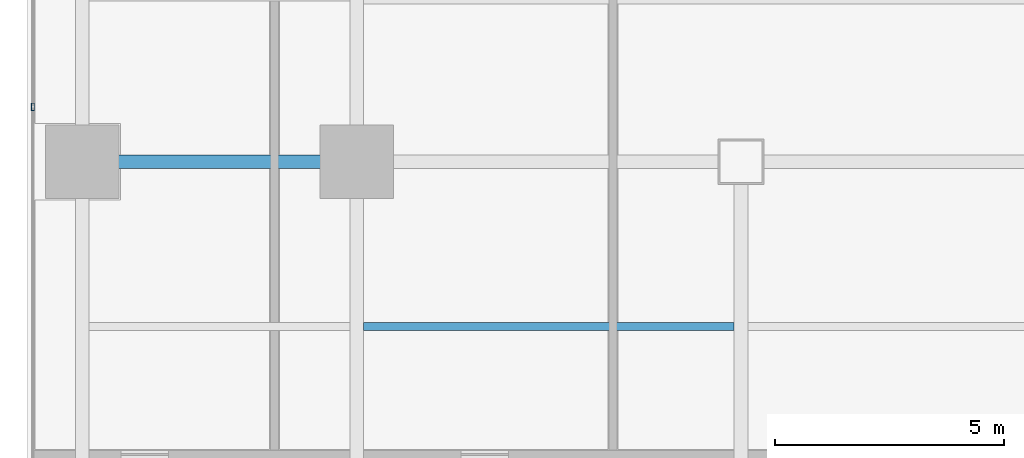
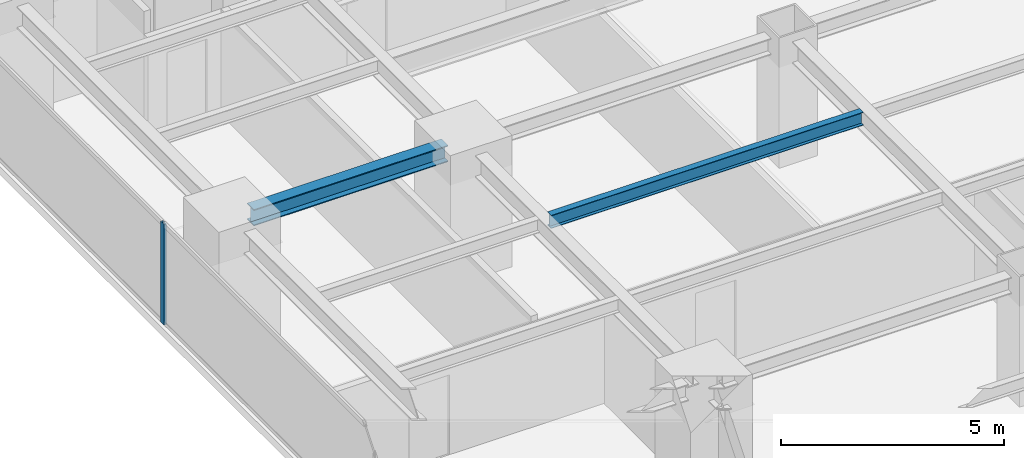
# One storey, part 7 of 28: 2 beams, 1 member, 1 element without a shape of its own.
"""IFC4 building model written with IfcOpenShell, lengths in metres."""

import ifcopenshell
import ifcopenshell.guid

model = None  # the IFC model being written
_history = None  # IfcOwnerHistory: only IFC2X3 demands one
_inside = {}  # id of a spatial element -> (the spatial element, [elements in it])
_under = {}  # id of a project, library or spatial element -> (it, [spatial elements below it])
_declared = {}  # id of a project -> (the project, [libraries it declares])
_typed = {}  # id of a type object -> (the type object, [elements of that type])
_made_of = {}  # id of a material, layer set ... -> (it, [elements and type objects made of it])


def new_model(schema):
    """Start an empty IFC model of exactly this schema.

    Asked for "IFC4X3", IfcOpenShell would pick the latest addendum, in which some entities
    have other attributes; the version numbers below select the first issue.
    IFC2X3 requires an IfcOwnerHistory on every rooted entity: one is made here for all.
    """
    global model, _history
    if schema == "IFC4X3":
        model = ifcopenshell.file(schema_version=(4, 3, 0, 0))
    else:
        model = ifcopenshell.file(schema=schema)
    _inside.clear()
    _under.clear()
    _declared.clear()
    _typed.clear()
    _made_of.clear()
    _history = None
    if model.schema == "IFC2X3":
        org = make("IfcOrganization", Name="unknown")
        user = make(
            "IfcPersonAndOrganization",
            ThePerson=make("IfcPerson", FamilyName="unknown"),
            TheOrganization=org,
        )
        app = make(
            "IfcApplication",
            ApplicationDeveloper=org,
            Version="unknown",
            ApplicationFullName="unknown",
            ApplicationIdentifier="unknown",
        )
        _history = make(
            "IfcOwnerHistory",
            OwningUser=user,
            OwningApplication=app,
            ChangeAction="ADDED",
            CreationDate=0,
        )
    return model


def make(cls, **values):
    """One entity of the class cls with the attributes given. An attribute that is None is left unset."""
    return model.create_entity(
        cls, **{name: value for name, value in values.items() if value is not None}
    )


def rooted(cls, **values):
    """An entity with a GlobalId (a new one), such as an element, a storey or a relation."""
    return make(cls, GlobalId=ifcopenshell.guid.new(), OwnerHistory=_history, **values)


def si_unit(unit_type, name, prefix=None):
    """IfcSIUnit, for example si_unit("LENGTHUNIT", "METRE", prefix="MILLI")."""
    return make("IfcSIUnit", UnitType=unit_type, Prefix=prefix, Name=name)


def assignment(units):
    """IfcUnitAssignment: the units of a project."""
    return None if units is None else make("IfcUnitAssignment", Units=units)


def point(xyz):
    """IfcCartesianPoint."""
    return None if xyz is None else make("IfcCartesianPoint", Coordinates=xyz)


def direction(xyz):
    """IfcDirection."""
    return None if xyz is None else make("IfcDirection", DirectionRatios=xyz)


def frame(location, z_axis=None, x_axis=None):
    """IfcAxis2Placement3D, a coordinate frame: its origin and axes. An axis left out is left unset."""
    return make(
        "IfcAxis2Placement3D",
        Location=point(location),
        Axis=direction(z_axis),
        RefDirection=direction(x_axis),
    )


def frame_2d(location, x_axis=None):
    """IfcAxis2Placement2D, a coordinate frame in the plane: its origin and x axis."""
    return make(
        "IfcAxis2Placement2D", Location=point(location), RefDirection=direction(x_axis)
    )


def origin():
    """The frame at (0, 0, 0) with its axes left unset."""
    return frame((0.0, 0.0, 0.0))


def origin_2d():
    """The frame at (0, 0) in the plane with its x axis left unset."""
    return frame_2d((0.0, 0.0))


def place(relative_to, where):
    """IfcLocalPlacement: puts the frame where relative to a parent placement (None: the world)."""
    return make(
        "IfcLocalPlacement", PlacementRelTo=relative_to, RelativePlacement=where
    )


def context(
    kind, dimensions, precision=None, world=None, true_north=None, identifier=None
):
    """IfcGeometricRepresentationContext, for example the 3D "Model" context."""
    return make(
        "IfcGeometricRepresentationContext",
        ContextIdentifier=identifier,
        ContextType=kind,
        CoordinateSpaceDimension=dimensions,
        Precision=precision,
        WorldCoordinateSystem=world,
        TrueNorth=true_north,
    )


def subcontext(parent, identifier, kind, view, scale=None):
    """IfcGeometricRepresentationSubContext, for example "Body" below "Model"."""
    return make(
        "IfcGeometricRepresentationSubContext",
        ContextIdentifier=identifier,
        ContextType=kind,
        ParentContext=parent,
        TargetScale=scale,
        TargetView=view,
    )


def project(units=None, contexts=None):
    """IfcProject with its units and contexts."""
    return rooted(
        "IfcProject",
        Name="project",
        RepresentationContexts=contexts,
        UnitsInContext=assignment(units),
    )


def spatial(cls, under=None, at=None, **own):
    """A site, building, storey or space (cls), placed at a placement, below another one or the project."""
    s = rooted(cls, ObjectPlacement=at, **own)
    if under is not None:
        _under.setdefault(under.id(), (under, []))[1].append(s)
    return s


def profile(cls, at=None, kind="AREA", **sizes):
    """A parametric profile (cls). Its sizes go by their IFC names, for example OverallWidth=200.0."""
    return make(cls, ProfileType=kind, Position=at, **sizes)


def hollow_rectangle(**sizes):
    """IfcRectangleHollowProfileDef."""
    return profile("IfcRectangleHollowProfileDef", **sizes)


def i_section(**sizes):
    """IfcIShapeProfileDef."""
    return profile("IfcIShapeProfileDef", **sizes)


def extrude(swept, where, along, depth):
    """IfcExtrudedAreaSolid: the profile swept, set in the frame where, extruded along a direction by depth."""
    return make(
        "IfcExtrudedAreaSolid",
        SweptArea=swept,
        Position=where,
        ExtrudedDirection=direction(along),
        Depth=depth,
    )


def shape(context_of_items, identifier, shape_type, items):
    """IfcShapeRepresentation: the items that make up one representation, for example the "Body"."""
    return make(
        "IfcShapeRepresentation",
        ContextOfItems=context_of_items,
        RepresentationIdentifier=identifier,
        RepresentationType=shape_type,
        Items=items,
    )


def source(mapping_origin, context_of_items, identifier, shape_type, items):
    """IfcRepresentationMap: a shape defined once, which mapped items show again and again."""
    return make(
        "IfcRepresentationMap",
        MappingOrigin=mapping_origin,
        MappedRepresentation=shape(context_of_items, identifier, shape_type, items),
    )


def transform(
    local_origin,
    x_axis=None,
    y_axis=None,
    z_axis=None,
    scale=None,
    scale2=None,
    scale3=None,
    uniform=True,
):
    """IfcCartesianTransformationOperator3D, or its non-uniform kind. x_axis, y_axis, z_axis: its Axis1, 2, 3."""
    if uniform:
        return make(
            "IfcCartesianTransformationOperator3D",
            Axis1=direction(x_axis),
            Axis2=direction(y_axis),
            LocalOrigin=point(local_origin),
            Scale=scale,
            Axis3=direction(z_axis),
        )
    return make(
        "IfcCartesianTransformationOperator3DnonUniform",
        Axis1=direction(x_axis),
        Axis2=direction(y_axis),
        LocalOrigin=point(local_origin),
        Scale=scale,
        Axis3=direction(z_axis),
        Scale2=scale2,
        Scale3=scale3,
    )


def mapped(mapping_source, mapping_target):
    """IfcMappedItem: shows the shape of a source again, moved by a transform."""
    return make(
        "IfcMappedItem", MappingSource=mapping_source, MappingTarget=mapping_target
    )


def material(Name=None, Category=None):
    """IfcMaterial."""
    return make("IfcMaterial", Name=Name, Category=Category)


def layer(
    of_material, thickness, ventilated=None, Name=None, Category=None, Priority=None
):
    """IfcMaterialLayer: one layer of a wall or slab, of a material (None: an air gap)."""
    return make(
        "IfcMaterialLayer",
        Material=of_material,
        LayerThickness=thickness,
        IsVentilated=ventilated,
        Name=Name,
        Category=Category,
        Priority=Priority,
    )


def layer_set(layers, Name=None):
    """IfcMaterialLayerSet."""
    return make("IfcMaterialLayerSet", MaterialLayers=layers, LayerSetName=Name)


def material_profile(
    of_material, cross_section, Name=None, Category=None, Priority=None
):
    """IfcMaterialProfile: a cross section and its material."""
    return make(
        "IfcMaterialProfile",
        Name=Name,
        Material=of_material,
        Profile=cross_section,
        Priority=Priority,
        Category=Category,
    )


def profile_set(profiles, Name=None, composite=None):
    """IfcMaterialProfileSet."""
    return make(
        "IfcMaterialProfileSet",
        Name=Name,
        MaterialProfiles=profiles,
        CompositeProfile=composite,
    )


def made_of(thing, what):
    """Note that an element or type object is made of a material, layer set ...; save() writes the relation."""
    if what is not None:
        _made_of.setdefault(what.id(), (what, []))[1].append(thing)
    return thing


def type_object(cls, material=None, **own):
    """A type object (cls), such as IfcWallType, which elements share."""
    return made_of(rooted(cls, **own), material)


def element(
    cls,
    number,
    at=None,
    inside=None,
    cuts=None,
    type_object=None,
    material=None,
    context=None,
    identifier="Body",
    shape_type=None,
    held_by="IfcProductDefinitionShape",
    body=None,
    shapes=None,
    **own,
):
    """One element of the class cls, such as IfcWall. Its Tag is "e" and its number.

    at: its placement. inside: the storey or other place that contains it. cuts: it is an
    opening in that element (IfcRelVoidsElement). A single representation is given by context,
    identifier, shape_type and body (its items); several are given by shapes. held_by: the class
    of the entity that holds the representations. save() writes the other relations.
    """
    e = rooted(cls, Tag="e%d" % number, ObjectPlacement=at, **own)
    if body is not None:
        shapes = [shape(context, identifier, shape_type, body)]
    if shapes is not None:
        e.Representation = make(held_by, Representations=shapes)
    if inside is not None:
        _inside.setdefault(inside.id(), (inside, []))[1].append(e)
    if cuts is not None:
        rooted(
            "IfcRelVoidsElement", RelatingBuildingElement=cuts, RelatedOpeningElement=e
        )
    if type_object is not None:
        _typed.setdefault(type_object.id(), (type_object, []))[1].append(e)
    return made_of(e, material)


def aggregate(whole, parts):
    """IfcRelAggregates: a whole, such as a stair, and the parts it consists of."""
    return rooted("IfcRelAggregates", RelatingObject=whole, RelatedObjects=parts)


def save(model, path):
    """Write the relations noted so far, then the file.

    IfcRelAggregates (storeys below a building ...), IfcRelContainedInSpatialStructure (elements
    in a storey), IfcRelDefinesByType, IfcRelAssociatesMaterial and IfcRelDeclares: one each for
    every whole, place, type object, material and project.
    """
    for whole, parts in _under.values():
        aggregate(whole, parts)
    for where, things in _inside.values():
        rooted(
            "IfcRelContainedInSpatialStructure",
            RelatedElements=things,
            RelatingStructure=where,
        )
    for kind, things in _typed.values():
        rooted("IfcRelDefinesByType", RelatedObjects=things, RelatingType=kind)
    for what, things in _made_of.values():
        rooted("IfcRelAssociatesMaterial", RelatedObjects=things, RelatingMaterial=what)
    for by, libraries in _declared.values():
        rooted("IfcRelDeclares", RelatingContext=by, RelatedDefinitions=libraries)
    model.write(path)


model = new_model("IFC4")

# Units and contexts
model_context = context("Model", 3, precision=1e-05, world=origin(), true_north=direction((0.0, 1.0)))
body_context = subcontext(model_context, "Body", "Model", "MODEL_VIEW")
ifc_project = project(units=[si_unit("LENGTHUNIT", "METRE"), si_unit("AREAUNIT", "SQUARE_METRE"), si_unit("VOLUMEUNIT", "CUBIC_METRE"), si_unit("PLANEANGLEUNIT", "RADIAN"), si_unit("MASSUNIT", "GRAM", prefix="KILO")], contexts=[model_context])

# Site, building, storey
site_placement = place(None, origin())
site = spatial("IfcSite", under=ifc_project, at=site_placement, CompositionType="ELEMENT")
building_placement = place(site_placement, origin())
building = spatial("IfcBuilding", under=site, at=building_placement, Name="Sumidabori Civic Tower", CompositionType="ELEMENT")
storey_placement = place(building_placement, frame((0.0, 0.0, 167.60009765625)))
storey = spatial("IfcBuildingStorey", under=building, at=storey_placement, Name="L43", CompositionType="ELEMENT", Elevation=167.60009765625)

# Beams
ifc_material_1 = material(Name="Steel SN490", Category="steel")
ifc_material_profile_1 = material_profile(ifc_material_1, i_section(OverallWidth=0.169921875, OverallDepth=0.360107421875, WebThickness=0.008056640625, FlangeThickness=0.0126953125, at=origin_2d()), Name="IPE 360")
ifc_profile_set_1 = profile_set([ifc_material_profile_1], Name="Steel SN490")
beam_type_1 = type_object("IfcBeamType", Name="BM-JST-360", PredefinedType="JOIST", material=ifc_profile_set_1)
shared_shape_1 = source(origin(), body_context, "Body", "SweptSolid", [
    extrude(i_section(OverallWidth=0.169921875, OverallDepth=0.360107421875, WebThickness=0.008056640625, FlangeThickness=0.0126953125, at=origin_2d()), origin(), (0.0, 0.0, 1.0), 8.099853515625),
])
beam_1_placement = place(storey_placement, frame((-16.64990234375, -3.60009765625, 3.199951171875), z_axis=(1.0, 0.0, 0.0), x_axis=(0.0, 1.0, 0.0)))
element("IfcBeam", 1, at=beam_1_placement, inside=storey, type_object=beam_type_1, Name="South Bay Floor Joist L43 JSTS-57", PredefinedType="JOIST", context=body_context, shape_type="MappedRepresentation", body=[
    mapped(shared_shape_1, transform((0.0, 0.0, 0.0), x_axis=(1.0, 0.0, 0.0), y_axis=(0.0, 1.0, 0.0), z_axis=(0.0, 0.0, 1.0), scale=1.0)),
])
ifc_material_profile_2 = material_profile(ifc_material_1, i_section(OverallWidth=0.300048828125, OverallDepth=0.449951171875, WebThickness=0.013916015625, FlangeThickness=0.02587890625, at=origin_2d()), Name="HE 450 B")
ifc_profile_set_2 = profile_set([ifc_material_profile_2], Name="Steel SN490")
beam_type_2 = type_object("IfcBeamType", Name="BM-GIRD-450", PredefinedType="BEAM", material=ifc_profile_set_2)
shared_shape_2 = source(origin(), body_context, "Body", "SweptSolid", [
    extrude(i_section(OverallWidth=0.300048828125, OverallDepth=0.449951171875, WebThickness=0.013916015625, FlangeThickness=0.02587890625, at=origin_2d()), origin(), (0.0, 0.0, 1.0), 5.0400390625),
])
beam_2_placement = place(storey_placement, frame((-22.320068359375, 0.0, 3.15478515625), z_axis=(1.0, 0.0, 0.0), x_axis=(0.0, 1.0, 0.0)))
element("IfcBeam", 2, at=beam_2_placement, inside=storey, type_object=beam_type_2, Name="Primary Girder L43 GX-11", PredefinedType="BEAM", context=body_context, shape_type="MappedRepresentation", body=[
    mapped(shared_shape_2, transform((0.0, 0.0, 0.0), x_axis=(1.0, 0.0, 0.0), y_axis=(0.0, 1.0, 0.0), z_axis=(0.0, 0.0, 1.0), scale=1.0)),
])

# Curtain wall, member
ifc_material_2 = material(Name="Anodised Bronze Aluminium AW-6063-T6", Category="aluminium")
ifc_layer = layer(ifc_material_2, 0.179931640625, Name="Anodised Bronze Aluminium AW-6063-T6")
ifc_layer_set = layer_set([ifc_layer], Name="Anodised Bronze Aluminium AW-6063-T6")
curtain_wall_type = type_object("IfcCurtainWallType", Name="CW-SYS-3", PredefinedType="NOTDEFINED", material=ifc_layer_set)
curtain_wall_placement = place(storey_placement, origin())
curtain_wall = element("IfcCurtainWall", 3, at=curtain_wall_placement, inside=storey, type_object=curtain_wall_type, Name="Curtain Wall CW:L43:R10", PredefinedType="NOTDEFINED")
ifc_material_profile_3 = material_profile(ifc_material_2, hollow_rectangle(XDim=0.06494140625, YDim=0.159912109375, WallThickness=0.0048828125, at=origin_2d()), Name="ALU MULLION 160x65")
ifc_profile_set_3 = profile_set([ifc_material_profile_3], Name="Anodised Bronze Aluminium AW-6063-T6")
member_type = type_object("IfcMemberType", Name="CW-MUL-160", PredefinedType="MULLION", material=ifc_profile_set_3)
shared_shape_3 = source(origin(), body_context, "Body", "SweptSolid", [
    extrude(hollow_rectangle(XDim=0.06494140625, YDim=0.159912109375, WallThickness=0.0048828125, at=origin_2d()), origin(), (0.0, 0.0, 1.0), 2.760009765625),
])
member_placement = place(storey_placement, frame((-23.8798828125, 1.199951171875, 0.0), z_axis=(0.0, 0.0, 1.0), x_axis=(1.0, 0.0, 0.0)))
member = element("IfcMember", 4, at=member_placement, type_object=member_type, Name="CW-3 mullion 3", PredefinedType="MULLION", context=body_context, shape_type="MappedRepresentation", body=[
    mapped(shared_shape_3, transform((0.0, 0.0, 0.0), x_axis=(1.0, 0.0, 0.0), y_axis=(0.0, 1.0, 0.0), z_axis=(0.0, 0.0, 1.0), scale=1.0)),
])
aggregate(curtain_wall, [member])

save(model, "model.ifc")
